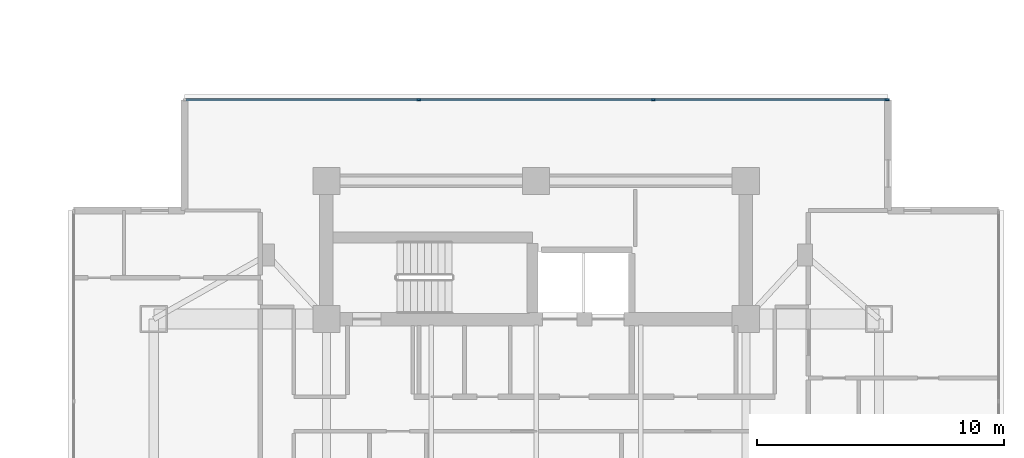
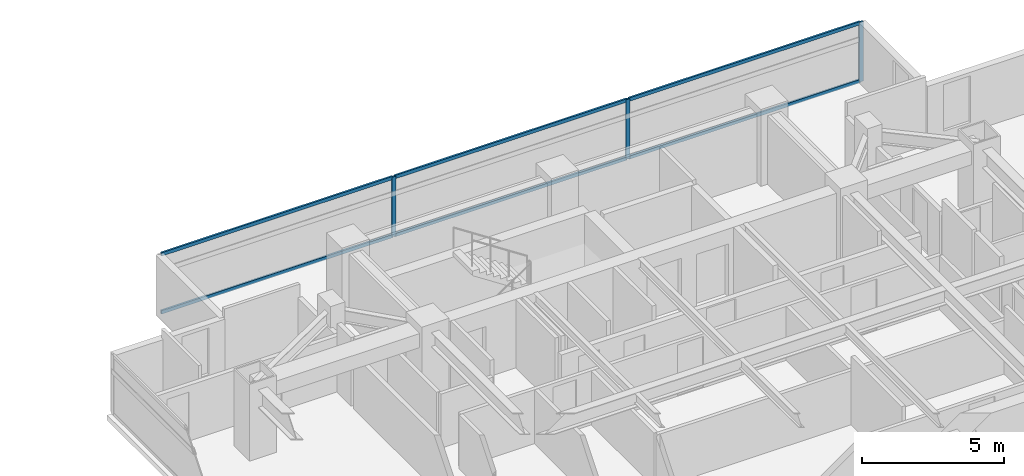
# One storey, part 11 of 24: 9 members, 1 element without a shape of its own.
"""IFC4 building model written with IfcOpenShell, lengths in metres."""

from ifc_helpers import new_model, si_unit, direction, frame, origin, origin_2d, place, context, subcontext, project, spatial, rectangle, extrude, material, material_profile, profile_set, type_object, element, aggregate, save


model = new_model("IFC4")

# Units and contexts
model_context = context("Model", 3, precision=1e-05, world=origin(), true_north=direction((0.0, 1.0)))
body_context = subcontext(model_context, "Body", "Model", "MODEL_VIEW")
ifc_project = project(units=[si_unit("LENGTHUNIT", "METRE"), si_unit("AREAUNIT", "SQUARE_METRE"), si_unit("VOLUMEUNIT", "CUBIC_METRE"), si_unit("PLANEANGLEUNIT", "RADIAN"), si_unit("MASSUNIT", "GRAM", prefix="KILO")], contexts=[model_context])

# Site, building, storey
site_placement = place(None, origin())
site = spatial("IfcSite", under=ifc_project, at=site_placement, CompositionType="ELEMENT")
building_placement = place(site_placement, origin())
building = spatial("IfcBuilding", under=site, at=building_placement, Name="Mirazonda Arch Towers", CompositionType="ELEMENT")
storey_placement = place(building_placement, frame((0.0, 0.0, 144.5)))
storey = spatial("IfcBuildingStorey", under=building, at=storey_placement, Name="L41", CompositionType="ELEMENT", Elevation=144.5)

# Curtain wall, members
ifc_material_1 = material(Name="Anodised Aluminium and Low-E Glass", Category="aluminium")
curtain_wall_type = type_object("IfcCurtainWallType", Name="CW-HTL-UNIT", PredefinedType="NOTDEFINED", material=ifc_material_1)
curtain_wall_placement = place(storey_placement, origin())
curtain_wall = element("IfcCurtainWall", 1, at=curtain_wall_placement, inside=storey, type_object=curtain_wall_type, Name="L41 T2 N Facade CW-L41-T2-N", PredefinedType="NOTDEFINED")
ifc_material_2 = material(Name="Anodised Aluminium Alloy", Category="aluminium")
ifc_material_profile_1 = material_profile(ifc_material_2, rectangle(XDim=0.074951171875, YDim=0.1650390625, at=origin_2d()), Name="ALU-MULL-75x165")
ifc_profile_set_1 = profile_set([ifc_material_profile_1], Name="Anodised Aluminium Alloy")
member_type_1 = type_object("IfcMemberType", Name="MULL-CW-HTL-UNIT", PredefinedType="MULLION", material=ifc_profile_set_1)
member_1_placement = place(storey_placement, frame((71.745849609375, 44.08544921875, 0.0), z_axis=(0.0, 0.0, 1.0), x_axis=(0.0, 1.0, 0.0)))
member_1 = element("IfcMember", 2, at=member_1_placement, type_object=member_type_1, Name="CW-112 mullion 2", PredefinedType="MULLION", context=body_context, shape_type="SweptSolid", body=[
    extrude(rectangle(XDim=0.074951171875, YDim=0.1650390625, at=origin_2d()), origin(), (0.0, 0.0, 1.0), 2.56005859375),
])
member_2_placement = place(storey_placement, frame((81.254150390625, 44.08544921875, 0.0), z_axis=(0.0, 0.0, 1.0), x_axis=(0.0, 1.0, 0.0)))
member_2 = element("IfcMember", 3, at=member_2_placement, type_object=member_type_1, Name="CW-112 mullion 3", PredefinedType="MULLION", context=body_context, shape_type="SweptSolid", body=[
    extrude(rectangle(XDim=0.074951171875, YDim=0.1650390625, at=origin_2d()), origin(), (0.0, 0.0, 1.0), 2.56005859375),
])
member_3_placement = place(storey_placement, frame((90.72509765625, 44.08544921875, 0.0), z_axis=(0.0, 0.0, 1.0), x_axis=(0.0, 1.0, 0.0)))
member_3 = element("IfcMember", 4, at=member_3_placement, type_object=member_type_1, Name="CW-112 mullion 4", PredefinedType="MULLION", context=body_context, shape_type="SweptSolid", body=[
    extrude(rectangle(XDim=0.074951171875, YDim=0.1650390625, at=origin_2d()), origin(), (0.0, 0.0, 1.0), 2.56005859375),
])
ifc_material_profile_2 = material_profile(ifc_material_2, rectangle(XDim=0.074951171875, YDim=0.14501953125, at=origin_2d()), Name="ALU-TRAN-75x145")
ifc_profile_set_2 = profile_set([ifc_material_profile_2], Name="Anodised Aluminium Alloy")
member_type_2 = type_object("IfcMemberType", Name="TRAN-CW-HTL-UNIT", PredefinedType="USERDEFINED", material=ifc_profile_set_2)
member_4_placement = place(storey_placement, frame((62.3125, 44.08544921875, 0.03759765625), z_axis=(1.0, 0.0, 0.0), x_axis=(0.0, 1.0, 0.0)))
member_4 = element("IfcMember", 5, at=member_4_placement, type_object=member_type_2, Name="CW-112 transom 1.1", ObjectType="TRANSOM", PredefinedType="USERDEFINED", context=body_context, shape_type="SweptSolid", body=[
    extrude(rectangle(XDim=0.074951171875, YDim=0.14501953125, at=origin_2d()), origin(), (0.0, 0.0, 1.0), 9.395751953125),
])
member_5_placement = place(storey_placement, frame((62.3125, 44.08544921875, 2.5224609375), z_axis=(1.0, 0.0, 0.0), x_axis=(0.0, 1.0, 0.0)))
member_5 = element("IfcMember", 6, at=member_5_placement, type_object=member_type_2, Name="CW-112 transom 1.2", ObjectType="TRANSOM", PredefinedType="USERDEFINED", context=body_context, shape_type="SweptSolid", body=[
    extrude(rectangle(XDim=0.074951171875, YDim=0.14501953125, at=origin_2d()), origin(), (0.0, 0.0, 1.0), 9.395751953125),
])
member_6_placement = place(storey_placement, frame((71.783447265625, 44.08544921875, 0.03759765625), z_axis=(1.0, 0.0, 0.0), x_axis=(0.0, 1.0, 0.0)))
member_6 = element("IfcMember", 7, at=member_6_placement, type_object=member_type_2, Name="CW-112 transom 2.1", ObjectType="TRANSOM", PredefinedType="USERDEFINED", context=body_context, shape_type="SweptSolid", body=[
    extrude(rectangle(XDim=0.074951171875, YDim=0.14501953125, at=origin_2d()), origin(), (0.0, 0.0, 1.0), 9.43310546875),
])
member_7_placement = place(storey_placement, frame((71.783447265625, 44.08544921875, 2.5224609375), z_axis=(1.0, 0.0, 0.0), x_axis=(0.0, 1.0, 0.0)))
member_7 = element("IfcMember", 8, at=member_7_placement, type_object=member_type_2, Name="CW-112 transom 2.2", ObjectType="TRANSOM", PredefinedType="USERDEFINED", context=body_context, shape_type="SweptSolid", body=[
    extrude(rectangle(XDim=0.074951171875, YDim=0.14501953125, at=origin_2d()), origin(), (0.0, 0.0, 1.0), 9.43310546875),
])
member_8_placement = place(storey_placement, frame((81.291748046875, 44.08544921875, 0.03759765625), z_axis=(1.0, 0.0, 0.0), x_axis=(0.0, 1.0, 0.0)))
member_8 = element("IfcMember", 9, at=member_8_placement, type_object=member_type_2, Name="CW-112 transom 3.1", ObjectType="TRANSOM", PredefinedType="USERDEFINED", context=body_context, shape_type="SweptSolid", body=[
    extrude(rectangle(XDim=0.074951171875, YDim=0.14501953125, at=origin_2d()), origin(), (0.0, 0.0, 1.0), 9.395751953125),
])
member_9_placement = place(storey_placement, frame((81.291748046875, 44.08544921875, 2.5224609375), z_axis=(1.0, 0.0, 0.0), x_axis=(0.0, 1.0, 0.0)))
member_9 = element("IfcMember", 10, at=member_9_placement, type_object=member_type_2, Name="CW-112 transom 3.2", ObjectType="TRANSOM", PredefinedType="USERDEFINED", context=body_context, shape_type="SweptSolid", body=[
    extrude(rectangle(XDim=0.074951171875, YDim=0.14501953125, at=origin_2d()), origin(), (0.0, 0.0, 1.0), 9.395751953125),
])
aggregate(curtain_wall, [member_1, member_2, member_3, member_4, member_5, member_6, member_7, member_8, member_9])

save(model, "model.ifc")
